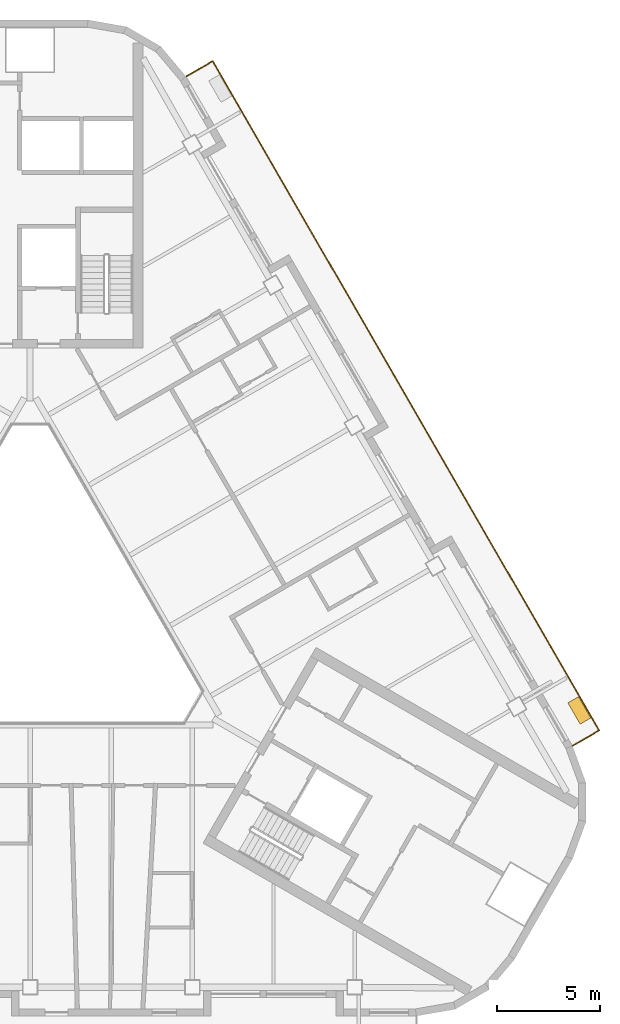
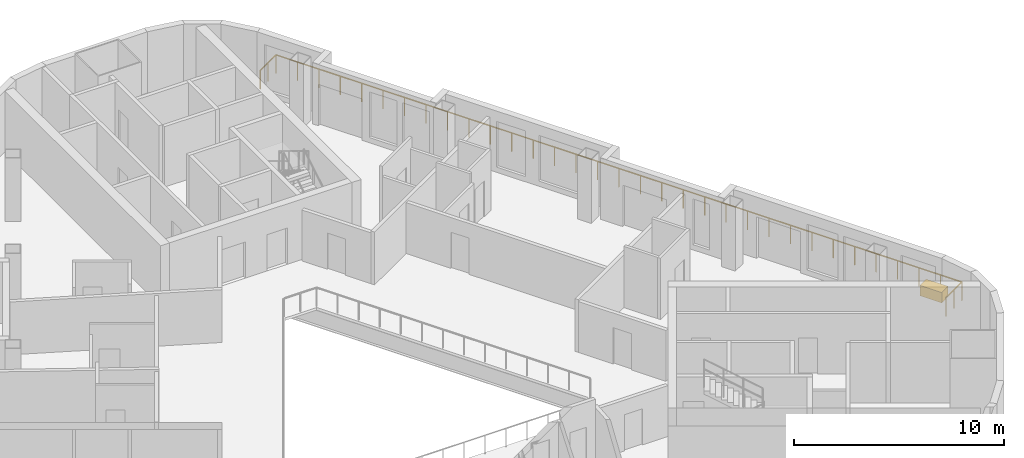
# One storey, part 13 of 14: 1 covering, 1 railing.
"""IFC4 building model written with IfcOpenShell, lengths in metres."""

from ifc_helpers import new_model, si_unit, direction, frame, origin, origin_2d, place, context, subcontext, project, spatial, rectangle, extrude, material, type_object, element, save


model = new_model("IFC4")

# Units and contexts
model_context = context("Model", 3, precision=1e-05, world=origin(), true_north=direction((0.0, 1.0)))
body_context = subcontext(model_context, "Body", "Model", "MODEL_VIEW")
ifc_project = project(units=[si_unit("LENGTHUNIT", "METRE"), si_unit("AREAUNIT", "SQUARE_METRE"), si_unit("VOLUMEUNIT", "CUBIC_METRE"), si_unit("PLANEANGLEUNIT", "RADIAN"), si_unit("MASSUNIT", "GRAM", prefix="KILO")], contexts=[model_context])

# Site, building, storey
site_placement = place(None, origin())
site = spatial("IfcSite", under=ifc_project, at=site_placement, CompositionType="ELEMENT")
building_placement = place(site_placement, origin())
building = spatial("IfcBuilding", under=site, at=building_placement, Name="Apuvela Tower Hotel", CompositionType="ELEMENT")
storey_placement = place(building_placement, frame((0.0, 0.0, 216.89990234375)))
storey = spatial("IfcBuildingStorey", under=building, at=storey_placement, Name="L53", CompositionType="ELEMENT", Elevation=216.89990234375)

# Railing
ifc_material_1 = material(Name="Stainless steel 316 rail with laminated glass infill", Category="steel")
railing_type = type_object("IfcRailingType", Name="ENV-GUARD-1100", PredefinedType="GUARDRAIL", material=ifc_material_1)
railing_placement = place(storey_placement, frame((26.407958984375, -6.47998046875, 0.0)))
element("IfcRailing", 1, at=railing_placement, inside=storey, type_object=railing_type, Name="Balcony guard NE L53", PredefinedType="GUARDRAIL", context=body_context, shape_type="SweptSolid", body=[
    extrude(rectangle(XDim=0.050048828125, YDim=0.050048828125, at=origin_2d()), frame((0.0, 0.0, 1.0751953125), z_axis=(0.866031096941, 0.499990139034, 0.0), x_axis=(-0.499990139034, 0.866031096941, 0.0)), (0.0, 0.0, 1.0), 1.5),
    extrude(rectangle(XDim=0.050048828125, YDim=0.050048828125, at=origin_2d()), frame((1.299072265625, 0.75, 1.0751953125), z_axis=(-0.500000437506, 0.86602515119, 0.0), x_axis=(-0.86602515119, -0.500000437506, 0.0)), (0.0, 0.0, 1.0), 37.6318359375),
    extrude(rectangle(XDim=0.050048828125, YDim=0.050048828125, at=origin_2d()), frame((-17.516845703125, 33.340087890625, 1.0751953125), z_axis=(-0.86599040064, -0.500060622324, 0.0), x_axis=(0.500060622324, -0.86599040064, 0.0)), (0.0, 0.0, 1.0), 1.499755859375),
    extrude(rectangle(XDim=0.0400390625, YDim=0.0400390625, at=origin_2d()), origin(), (0.0, 0.0, 1.0), 1.050048828125),
    extrude(rectangle(XDim=0.0400390625, YDim=0.0400390625, at=origin_2d()), frame((0.6494140625, 0.375, 0.0)), (0.0, 0.0, 1.0), 1.050048828125),
    extrude(rectangle(XDim=0.0400390625, YDim=0.0400390625, at=origin_2d()), frame((1.299072265625, 0.75, 0.0)), (0.0, 0.0, 1.0), 1.050048828125),
    extrude(rectangle(XDim=0.0400390625, YDim=0.0400390625, at=origin_2d()), frame((0.711181640625, 1.7685546875, 0.0)), (0.0, 0.0, 1.0), 1.050048828125),
    extrude(rectangle(XDim=0.0400390625, YDim=0.0400390625, at=origin_2d()), frame((0.123046875, 2.786865234375, 0.0)), (0.0, 0.0, 1.0), 1.050048828125),
    extrude(rectangle(XDim=0.0400390625, YDim=0.0400390625, at=origin_2d()), frame((-0.46484375, 3.805419921875, 0.0)), (0.0, 0.0, 1.0), 1.050048828125),
    extrude(rectangle(XDim=0.0400390625, YDim=0.0400390625, at=origin_2d()), frame((-1.052978515625, 4.82373046875, 0.0)), (0.0, 0.0, 1.0), 1.050048828125),
    extrude(rectangle(XDim=0.0400390625, YDim=0.0400390625, at=origin_2d()), frame((-1.640869140625, 5.84228515625, 0.0)), (0.0, 0.0, 1.0), 1.050048828125),
    extrude(rectangle(XDim=0.0400390625, YDim=0.0400390625, at=origin_2d()), frame((-2.22900390625, 6.860595703125, 0.0)), (0.0, 0.0, 1.0), 1.050048828125),
    extrude(rectangle(XDim=0.0400390625, YDim=0.0400390625, at=origin_2d()), frame((-2.81689453125, 7.879150390625, 0.0)), (0.0, 0.0, 1.0), 1.050048828125),
    extrude(rectangle(XDim=0.0400390625, YDim=0.0400390625, at=origin_2d()), frame((-3.40478515625, 8.8974609375, 0.0)), (0.0, 0.0, 1.0), 1.050048828125),
    extrude(rectangle(XDim=0.0400390625, YDim=0.0400390625, at=origin_2d()), frame((-3.992919921875, 9.916015625, 0.0)), (0.0, 0.0, 1.0), 1.050048828125),
    extrude(rectangle(XDim=0.0400390625, YDim=0.0400390625, at=origin_2d()), frame((-4.580810546875, 10.934326171875, 0.0)), (0.0, 0.0, 1.0), 1.050048828125),
    extrude(rectangle(XDim=0.0400390625, YDim=0.0400390625, at=origin_2d()), frame((-5.1689453125, 11.952880859375, 0.0)), (0.0, 0.0, 1.0), 1.050048828125),
    extrude(rectangle(XDim=0.0400390625, YDim=0.0400390625, at=origin_2d()), frame((-5.7568359375, 12.97119140625, 0.0)), (0.0, 0.0, 1.0), 1.050048828125),
    extrude(rectangle(XDim=0.0400390625, YDim=0.0400390625, at=origin_2d()), frame((-6.344970703125, 13.98974609375, 0.0)), (0.0, 0.0, 1.0), 1.050048828125),
    extrude(rectangle(XDim=0.0400390625, YDim=0.0400390625, at=origin_2d()), frame((-6.932861328125, 15.008056640625, 0.0)), (0.0, 0.0, 1.0), 1.050048828125),
    extrude(rectangle(XDim=0.0400390625, YDim=0.0400390625, at=origin_2d()), frame((-7.52099609375, 16.026611328125, 0.0)), (0.0, 0.0, 1.0), 1.050048828125),
    extrude(rectangle(XDim=0.0400390625, YDim=0.0400390625, at=origin_2d()), frame((-8.10888671875, 17.044921875, 0.0)), (0.0, 0.0, 1.0), 1.050048828125),
    extrude(rectangle(XDim=0.0400390625, YDim=0.0400390625, at=origin_2d()), frame((-8.69677734375, 18.0634765625, 0.0)), (0.0, 0.0, 1.0), 1.050048828125),
    extrude(rectangle(XDim=0.0400390625, YDim=0.0400390625, at=origin_2d()), frame((-9.284912109375, 19.08203125, 0.0)), (0.0, 0.0, 1.0), 1.050048828125),
    extrude(rectangle(XDim=0.0400390625, YDim=0.0400390625, at=origin_2d()), frame((-9.872802734375, 20.100341796875, 0.0)), (0.0, 0.0, 1.0), 1.050048828125),
    extrude(rectangle(XDim=0.0400390625, YDim=0.0400390625, at=origin_2d()), frame((-10.4609375, 21.118896484375, 0.0)), (0.0, 0.0, 1.0), 1.050048828125),
    extrude(rectangle(XDim=0.0400390625, YDim=0.0400390625, at=origin_2d()), frame((-11.048828125, 22.13720703125, 0.0)), (0.0, 0.0, 1.0), 1.050048828125),
    extrude(rectangle(XDim=0.0400390625, YDim=0.0400390625, at=origin_2d()), frame((-11.636962890625, 23.15576171875, 0.0)), (0.0, 0.0, 1.0), 1.050048828125),
    extrude(rectangle(XDim=0.0400390625, YDim=0.0400390625, at=origin_2d()), frame((-12.224853515625, 24.174072265625, 0.0)), (0.0, 0.0, 1.0), 1.050048828125),
    extrude(rectangle(XDim=0.0400390625, YDim=0.0400390625, at=origin_2d()), frame((-12.81298828125, 25.192626953125, 0.0)), (0.0, 0.0, 1.0), 1.050048828125),
    extrude(rectangle(XDim=0.0400390625, YDim=0.0400390625, at=origin_2d()), frame((-13.40087890625, 26.2109375, 0.0)), (0.0, 0.0, 1.0), 1.050048828125),
    extrude(rectangle(XDim=0.0400390625, YDim=0.0400390625, at=origin_2d()), frame((-13.98876953125, 27.2294921875, 0.0)), (0.0, 0.0, 1.0), 1.050048828125),
    extrude(rectangle(XDim=0.0400390625, YDim=0.0400390625, at=origin_2d()), frame((-14.576904296875, 28.247802734375, 0.0)), (0.0, 0.0, 1.0), 1.050048828125),
    extrude(rectangle(XDim=0.0400390625, YDim=0.0400390625, at=origin_2d()), frame((-15.164794921875, 29.266357421875, 0.0)), (0.0, 0.0, 1.0), 1.050048828125),
    extrude(rectangle(XDim=0.0400390625, YDim=0.0400390625, at=origin_2d()), frame((-15.7529296875, 30.28466796875, 0.0)), (0.0, 0.0, 1.0), 1.050048828125),
    extrude(rectangle(XDim=0.0400390625, YDim=0.0400390625, at=origin_2d()), frame((-16.3408203125, 31.30322265625, 0.0)), (0.0, 0.0, 1.0), 1.050048828125),
    extrude(rectangle(XDim=0.0400390625, YDim=0.0400390625, at=origin_2d()), frame((-16.928955078125, 32.321533203125, 0.0)), (0.0, 0.0, 1.0), 1.050048828125),
    extrude(rectangle(XDim=0.0400390625, YDim=0.0400390625, at=origin_2d()), frame((-17.516845703125, 33.340087890625, 0.0)), (0.0, 0.0, 1.0), 1.050048828125),
    extrude(rectangle(XDim=0.0400390625, YDim=0.0400390625, at=origin_2d()), frame((-18.166259765625, 32.965087890625, 0.0)), (0.0, 0.0, 1.0), 1.050048828125),
    extrude(rectangle(XDim=0.0400390625, YDim=0.0400390625, at=origin_2d()), frame((-18.815673828125, 32.590087890625, 0.0)), (0.0, 0.0, 1.0), 1.050048828125),
])

# Covering
ifc_material_2 = material(Name="Planting substrate and soil, planted")
covering_type = type_object("IfcCoveringType", Name="ENV-PLANTER-1200x600", PredefinedType="USERDEFINED", material=ifc_material_2)
covering_placement = place(storey_placement, frame((26.739013671875, -4.753173828125, 0.0), z_axis=(0.0, 0.0, 1.0), x_axis=(-0.5, 0.866025403784, 0.0)))
element("IfcCovering", 2, at=covering_placement, inside=storey, type_object=covering_type, Name="Planter NE2", ObjectType="PLANTER", PredefinedType="USERDEFINED", context=body_context, shape_type="SweptSolid", body=[
    extrude(rectangle(XDim=1.199951171875, YDim=0.60009765625, at=origin_2d()), origin(), (0.0, 0.0, 1.0), 0.60009765625),
])

save(model, "model.ifc")
